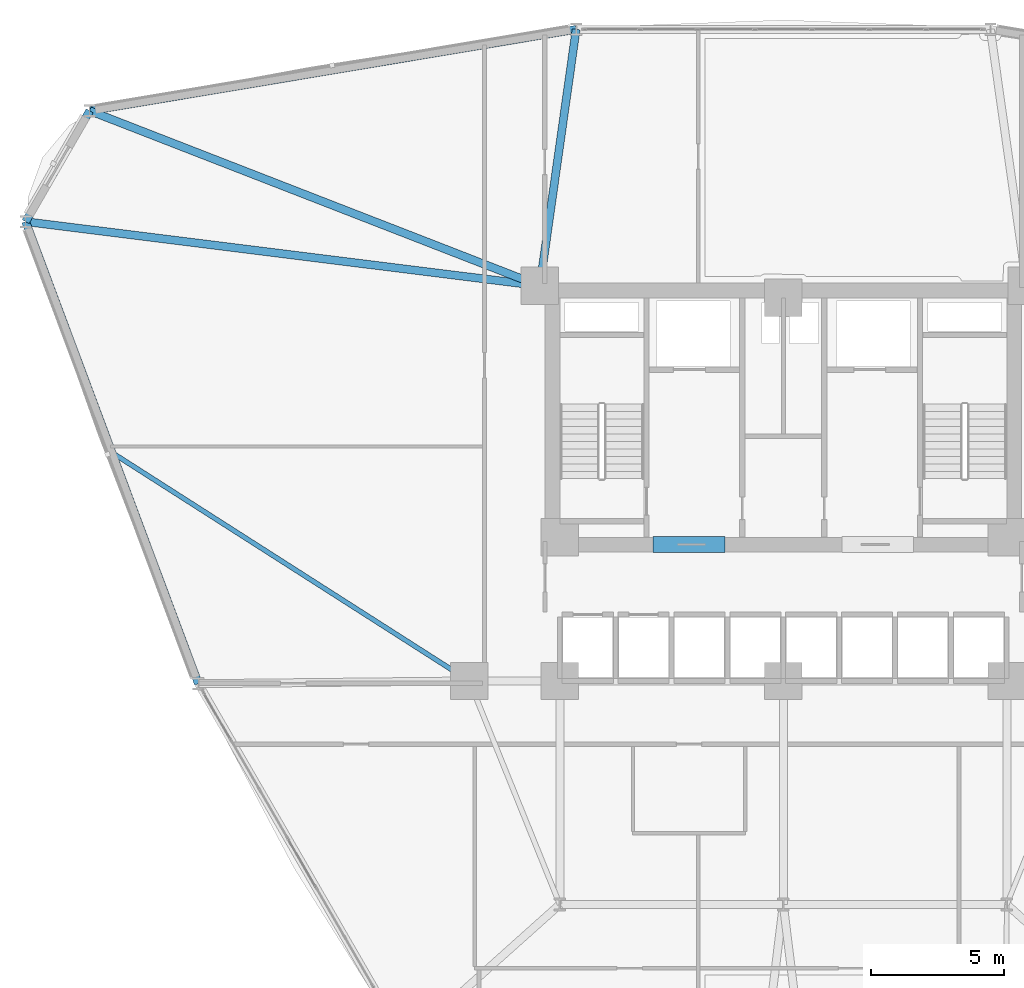
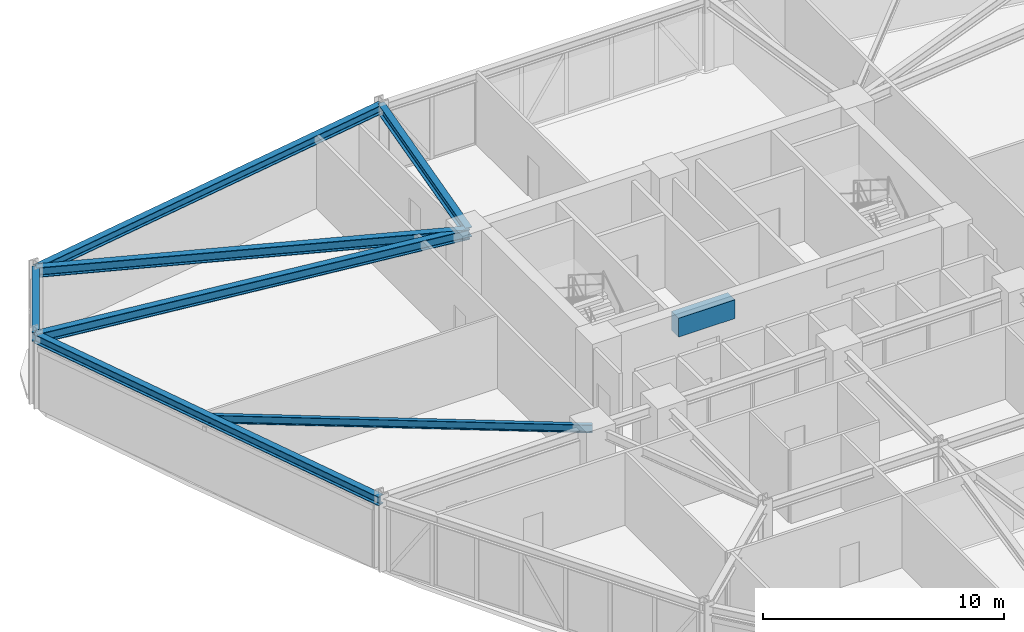
# One storey, part 11 of 22: 8 beams.
"""IFC4 building model written with IfcOpenShell, lengths in metres."""

from ifc_helpers import new_model, si_unit, derived_unit, direction, frame, origin, origin_2d, place, context, subcontext, project, spatial, rectangle, i_section, extrude, source, transform, mapped, material, material_profile, profile_set, type_object, element, save


model = new_model("IFC4")

# Units and contexts
model_context = context("Model", 3, precision=1e-05, world=origin(), true_north=direction((0.0, 1.0)))
body_context = subcontext(model_context, "Body", "Model", "MODEL_VIEW")
ifc_project = project(units=[si_unit("LENGTHUNIT", "METRE"), si_unit("AREAUNIT", "SQUARE_METRE"), si_unit("VOLUMEUNIT", "CUBIC_METRE"), si_unit("PLANEANGLEUNIT", "RADIAN"), si_unit("MASSUNIT", "GRAM", prefix="KILO"), derived_unit("THERMALTRANSMITTANCEUNIT", [(si_unit("POWERUNIT", "WATT"), 1), (si_unit("LENGTHUNIT", "METRE"), -2), (si_unit("THERMODYNAMICTEMPERATUREUNIT", "KELVIN"), -1)])], contexts=[model_context])

# Site, building, storey
site_placement = place(None, origin())
site = spatial("IfcSite", under=ifc_project, at=site_placement, CompositionType="ELEMENT")
building_placement = place(site_placement, origin())
building = spatial("IfcBuilding", under=site, at=building_placement, Name="Korsvarv Bourse and Concert Hall", CompositionType="ELEMENT")
storey_placement = place(building_placement, frame((0.0, 0.0, 47.39990234375)))
storey = spatial("IfcBuildingStorey", under=building, at=storey_placement, Name="L11", CompositionType="ELEMENT", Elevation=47.39990234375)

# Beams
ifc_material_1 = material(Name="Concrete C55/67", Category="concrete")
ifc_material_profile_1 = material_profile(ifc_material_1, rectangle(XDim=0.60009765625, YDim=0.949951171875, at=origin_2d()), Name="RC-BM 600x950")
ifc_profile_set_1 = profile_set([ifc_material_profile_1], Name="Concrete C55/67")
beam_type_1 = type_object("IfcBeamType", Name="BM-CPL", PredefinedType="LINTEL", material=ifc_profile_set_1)
shared_shape_1 = source(origin(), body_context, "Body", "SweptSolid", [
    extrude(rectangle(XDim=0.60009765625, YDim=0.949951171875, at=origin_2d()), origin(), (0.0, 0.0, 1.0), 2.699951171875),
])
beam_1_placement = place(storey_placement, frame((31.10009765625, 37.52490234375, 3.205078125), z_axis=(1.0, 0.0, 0.0), x_axis=(0.0, 1.0, 0.0)))
element("IfcBeam", 1, at=beam_1_placement, inside=storey, type_object=beam_type_1, Name="L11 Core Coupling Beam West", PredefinedType="LINTEL", context=body_context, shape_type="MappedRepresentation", body=[
    mapped(shared_shape_1, transform((0.0, 0.0, 0.0), scale=1.0)),
])
ifc_material_2 = material(Name="Steel S355", Category="steel")
ifc_material_profile_2 = material_profile(ifc_material_2, i_section(OverallWidth=0.300048828125, OverallDepth=0.449951171875, WebThickness=0.013916015625, FlangeThickness=0.02587890625, FilletRadius=0.02099609375, at=origin_2d()), Name="HEB 450")
ifc_profile_set_2 = profile_set([ifc_material_profile_2], Name="Steel S355")
beam_type_2 = type_object("IfcBeamType", Name="BM-HEB450", PredefinedType="SPANDREL", material=ifc_profile_set_2)
shared_shape_2 = source(origin(), body_context, "Body", "SweptSolid", [
    extrude(i_section(OverallWidth=0.300048828125, OverallDepth=0.449951171875, WebThickness=0.013916015625, FlangeThickness=0.02587890625, FilletRadius=0.02099609375, at=origin_2d()), origin(), (0.0, 0.0, 1.0), 4.810791015625),
])
beam_2_placement = place(storey_placement, frame((9.930908203125, 53.82861328125, 3.455078125), z_axis=(-0.500019702373, -0.866014028315, 0.0), x_axis=(0.866014028315, -0.500019702373, 0.0)))
element("IfcBeam", 2, at=beam_2_placement, inside=storey, type_object=beam_type_2, Name="L11 beam B-08", PredefinedType="SPANDREL", context=body_context, shape_type="MappedRepresentation", body=[
    mapped(shared_shape_2, transform((0.0, 0.0, 0.0), scale=1.0)),
])
shared_shape_3 = source(origin(), body_context, "Body", "SweptSolid", [
    extrude(i_section(OverallWidth=0.300048828125, OverallDepth=0.449951171875, WebThickness=0.013916015625, FlangeThickness=0.02587890625, FilletRadius=0.02099609375, at=origin_2d()), origin(), (0.0, 0.0, 1.0), 18.538818359375),
])
for number, where, z_axis, x_axis, name in (
    (3, (28.21533203125, 56.889404296875, 3.455078125), (-0.98627657502, -0.16510153714, 0.0), (0.16510153714, -0.98627657502, 0.0), "L11 beam B-08"),
    (4, (7.525390625, 49.662353515625, 3.455078125), (0.35015342957, -0.936692359188, 0.0), (0.936692359188, 0.35015342957, 0.0), "L11 beam B-08"),
):
    element("IfcBeam", number, at=place(storey_placement, frame(where, z_axis=z_axis, x_axis=x_axis)), inside=storey, type_object=beam_type_2, Name=name, PredefinedType="SPANDREL", context=body_context, shape_type="MappedRepresentation", body=[
        mapped(shared_shape_3, transform((0.0, 0.0, 0.0), scale=1.0)),
    ])
ifc_material_profile_3 = material_profile(ifc_material_2, i_section(OverallWidth=0.300048828125, OverallDepth=0.5, WebThickness=0.014404296875, FlangeThickness=0.028076171875, FilletRadius=0.02392578125, at=origin_2d()), Name="HEB 500")
ifc_profile_set_3 = profile_set([ifc_material_profile_3], Name="Steel S355")
beam_type_3 = type_object("IfcBeamType", Name="BM-HEB500", PredefinedType="BEAM", material=ifc_profile_set_3)
shared_shape_4 = source(origin(), body_context, "Body", "SweptSolid", [
    extrude(i_section(OverallWidth=0.300048828125, OverallDepth=0.5, WebThickness=0.014404296875, FlangeThickness=0.028076171875, FilletRadius=0.02392578125, at=origin_2d()), origin(), (0.0, 0.0, 1.0), 19.474609375),
])
beam_3_placement = place(storey_placement, frame((7.525390625, 49.662353515625, 3.43017578125), z_axis=(0.992298307048, -0.123871182403, 0.0), x_axis=(0.123871182403, 0.992298307048, 0.0)))
element("IfcBeam", 5, at=beam_3_placement, inside=storey, type_object=beam_type_3, Name="L11 beam B-07", PredefinedType="BEAM", context=body_context, shape_type="MappedRepresentation", body=[
    mapped(shared_shape_4, transform((0.0, 0.0, 0.0), scale=1.0)),
])
shared_shape_5 = source(origin(), body_context, "Body", "SweptSolid", [
    extrude(i_section(OverallWidth=0.300048828125, OverallDepth=0.5, WebThickness=0.014404296875, FlangeThickness=0.028076171875, FilletRadius=0.02392578125, at=origin_2d()), origin(), (0.0, 0.0, 1.0), 18.153076171875),
])
beam_4_placement = place(storey_placement, frame((9.930908203125, 53.82861328125, 3.43017578125), z_axis=(0.932024609168, -0.362394988797, 0.0), x_axis=(0.362394988797, 0.932024609168, 0.0)))
element("IfcBeam", 6, at=beam_4_placement, inside=storey, type_object=beam_type_3, Name="L11 beam B-07", PredefinedType="BEAM", context=body_context, shape_type="MappedRepresentation", body=[
    mapped(shared_shape_5, transform((0.0, 0.0, 0.0), scale=1.0)),
])
shared_shape_6 = source(origin(), body_context, "Body", "SweptSolid", [
    extrude(i_section(OverallWidth=0.300048828125, OverallDepth=0.5, WebThickness=0.014404296875, FlangeThickness=0.028076171875, FilletRadius=0.02392578125, at=origin_2d()), origin(), (0.0, 0.0, 1.0), 9.735595703125),
])
beam_5_placement = place(storey_placement, frame((28.21533203125, 56.889404296875, 3.43017578125), z_axis=(-0.140231095274, -0.990118800911, 0.0), x_axis=(0.990118800911, -0.140231095274, 0.0)))
element("IfcBeam", 7, at=beam_5_placement, inside=storey, type_object=beam_type_3, Name="L11 beam B-07", PredefinedType="BEAM", context=body_context, shape_type="MappedRepresentation", body=[
    mapped(shared_shape_6, transform((0.0, 0.0, 0.0), scale=1.0)),
])
ifc_material_profile_4 = material_profile(ifc_material_2, i_section(OverallWidth=0.179931640625, OverallDepth=0.39990234375, WebThickness=0.008544921875, FlangeThickness=0.013427734375, FilletRadius=0.02099609375, at=origin_2d()), Name="IPE 400")
ifc_profile_set_4 = profile_set([ifc_material_profile_4], Name="Steel S355")
beam_type_4 = type_object("IfcBeamType", Name="BM-IPE400", PredefinedType="JOIST", material=ifc_profile_set_4)
shared_shape_7 = source(origin(), body_context, "Body", "SweptSolid", [
    extrude(i_section(OverallWidth=0.179931640625, OverallDepth=0.39990234375, WebThickness=0.008544921875, FlangeThickness=0.013427734375, FilletRadius=0.02099609375, at=origin_2d()), origin(), (0.0, 0.0, 1.0), 15.935791015625),
])
beam_6_placement = place(storey_placement, frame((10.77099609375, 40.979736328125, 3.47998046875), z_axis=(0.842689888212, -0.538399249912, 0.0), x_axis=(0.538399249912, 0.842689888212, 0.0)))
element("IfcBeam", 8, at=beam_6_placement, inside=storey, type_object=beam_type_4, Name="L11 beam J-05", PredefinedType="JOIST", context=body_context, shape_type="MappedRepresentation", body=[
    mapped(shared_shape_7, transform((0.0, 0.0, 0.0), scale=1.0)),
])

save(model, "model.ifc")
